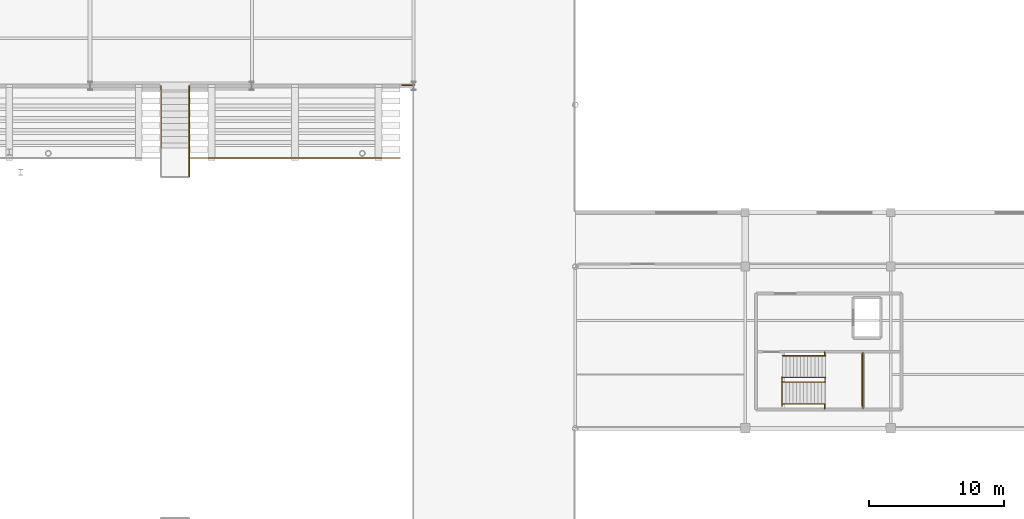
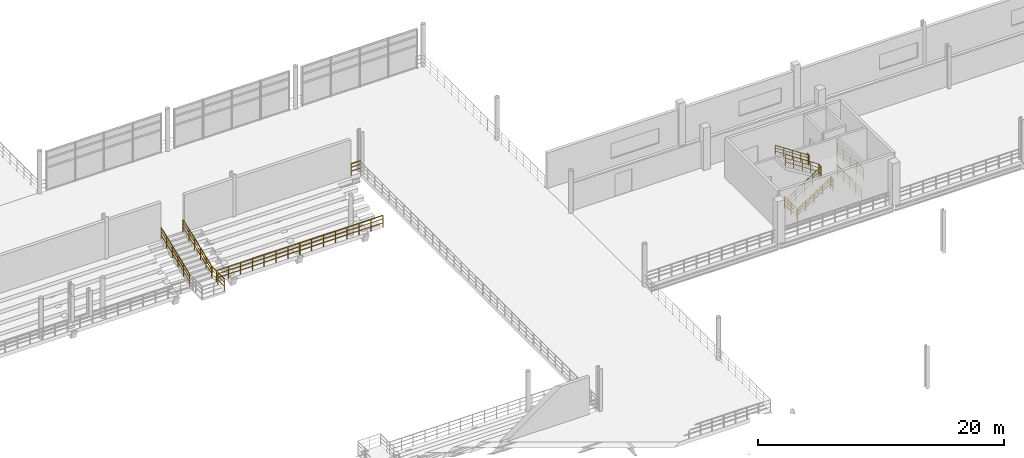
# One storey, part 79 of 89: 15 railings.
"""IFC4 building model written with IfcOpenShell, lengths in metres."""

import ifcopenshell
import ifcopenshell.guid

model = None  # the IFC model being written
_history = None  # IfcOwnerHistory: only IFC2X3 demands one
_inside = {}  # id of a spatial element -> (the spatial element, [elements in it])
_under = {}  # id of a project, library or spatial element -> (it, [spatial elements below it])
_declared = {}  # id of a project -> (the project, [libraries it declares])
_typed = {}  # id of a type object -> (the type object, [elements of that type])
_made_of = {}  # id of a material, layer set ... -> (it, [elements and type objects made of it])


def new_model(schema):
    """Start an empty IFC model of exactly this schema.

    Asked for "IFC4X3", IfcOpenShell would pick the latest addendum, in which some entities
    have other attributes; the version numbers below select the first issue.
    IFC2X3 requires an IfcOwnerHistory on every rooted entity: one is made here for all.
    """
    global model, _history
    if schema == "IFC4X3":
        model = ifcopenshell.file(schema_version=(4, 3, 0, 0))
    else:
        model = ifcopenshell.file(schema=schema)
    _inside.clear()
    _under.clear()
    _declared.clear()
    _typed.clear()
    _made_of.clear()
    _history = None
    if model.schema == "IFC2X3":
        org = make("IfcOrganization", Name="unknown")
        user = make(
            "IfcPersonAndOrganization",
            ThePerson=make("IfcPerson", FamilyName="unknown"),
            TheOrganization=org,
        )
        app = make(
            "IfcApplication",
            ApplicationDeveloper=org,
            Version="unknown",
            ApplicationFullName="unknown",
            ApplicationIdentifier="unknown",
        )
        _history = make(
            "IfcOwnerHistory",
            OwningUser=user,
            OwningApplication=app,
            ChangeAction="ADDED",
            CreationDate=0,
        )
    return model


def make(cls, **values):
    """One entity of the class cls with the attributes given. An attribute that is None is left unset."""
    return model.create_entity(
        cls, **{name: value for name, value in values.items() if value is not None}
    )


def rooted(cls, **values):
    """An entity with a GlobalId (a new one), such as an element, a storey or a relation."""
    return make(cls, GlobalId=ifcopenshell.guid.new(), OwnerHistory=_history, **values)


def si_unit(unit_type, name, prefix=None):
    """IfcSIUnit, for example si_unit("LENGTHUNIT", "METRE", prefix="MILLI")."""
    return make("IfcSIUnit", UnitType=unit_type, Prefix=prefix, Name=name)


def assignment(units):
    """IfcUnitAssignment: the units of a project."""
    return None if units is None else make("IfcUnitAssignment", Units=units)


def point(xyz):
    """IfcCartesianPoint."""
    return None if xyz is None else make("IfcCartesianPoint", Coordinates=xyz)


def direction(xyz):
    """IfcDirection."""
    return None if xyz is None else make("IfcDirection", DirectionRatios=xyz)


def frame(location, z_axis=None, x_axis=None):
    """IfcAxis2Placement3D, a coordinate frame: its origin and axes. An axis left out is left unset."""
    return make(
        "IfcAxis2Placement3D",
        Location=point(location),
        Axis=direction(z_axis),
        RefDirection=direction(x_axis),
    )


def frame_2d(location, x_axis=None):
    """IfcAxis2Placement2D, a coordinate frame in the plane: its origin and x axis."""
    return make(
        "IfcAxis2Placement2D", Location=point(location), RefDirection=direction(x_axis)
    )


def origin():
    """The frame at (0, 0, 0) with its axes left unset."""
    return frame((0.0, 0.0, 0.0))


def origin_2d():
    """The frame at (0, 0) in the plane with its x axis left unset."""
    return frame_2d((0.0, 0.0))


def place(relative_to, where):
    """IfcLocalPlacement: puts the frame where relative to a parent placement (None: the world)."""
    return make(
        "IfcLocalPlacement", PlacementRelTo=relative_to, RelativePlacement=where
    )


def context(
    kind, dimensions, precision=None, world=None, true_north=None, identifier=None
):
    """IfcGeometricRepresentationContext, for example the 3D "Model" context."""
    return make(
        "IfcGeometricRepresentationContext",
        ContextIdentifier=identifier,
        ContextType=kind,
        CoordinateSpaceDimension=dimensions,
        Precision=precision,
        WorldCoordinateSystem=world,
        TrueNorth=true_north,
    )


def subcontext(parent, identifier, kind, view, scale=None):
    """IfcGeometricRepresentationSubContext, for example "Body" below "Model"."""
    return make(
        "IfcGeometricRepresentationSubContext",
        ContextIdentifier=identifier,
        ContextType=kind,
        ParentContext=parent,
        TargetScale=scale,
        TargetView=view,
    )


def project(units=None, contexts=None):
    """IfcProject with its units and contexts."""
    return rooted(
        "IfcProject",
        Name="project",
        RepresentationContexts=contexts,
        UnitsInContext=assignment(units),
    )


def spatial(cls, under=None, at=None, **own):
    """A site, building, storey or space (cls), placed at a placement, below another one or the project."""
    s = rooted(cls, ObjectPlacement=at, **own)
    if under is not None:
        _under.setdefault(under.id(), (under, []))[1].append(s)
    return s


def profile(cls, at=None, kind="AREA", **sizes):
    """A parametric profile (cls). Its sizes go by their IFC names, for example OverallWidth=200.0."""
    return make(cls, ProfileType=kind, Position=at, **sizes)


def circle(**sizes):
    """IfcCircleProfileDef."""
    return profile("IfcCircleProfileDef", **sizes)


def extrude(swept, where, along, depth):
    """IfcExtrudedAreaSolid: the profile swept, set in the frame where, extruded along a direction by depth."""
    return make(
        "IfcExtrudedAreaSolid",
        SweptArea=swept,
        Position=where,
        ExtrudedDirection=direction(along),
        Depth=depth,
    )


def shape(context_of_items, identifier, shape_type, items):
    """IfcShapeRepresentation: the items that make up one representation, for example the "Body"."""
    return make(
        "IfcShapeRepresentation",
        ContextOfItems=context_of_items,
        RepresentationIdentifier=identifier,
        RepresentationType=shape_type,
        Items=items,
    )


def material(Name=None, Category=None):
    """IfcMaterial."""
    return make("IfcMaterial", Name=Name, Category=Category)


def layer(
    of_material, thickness, ventilated=None, Name=None, Category=None, Priority=None
):
    """IfcMaterialLayer: one layer of a wall or slab, of a material (None: an air gap)."""
    return make(
        "IfcMaterialLayer",
        Material=of_material,
        LayerThickness=thickness,
        IsVentilated=ventilated,
        Name=Name,
        Category=Category,
        Priority=Priority,
    )


def layer_set(layers, Name=None):
    """IfcMaterialLayerSet."""
    return make("IfcMaterialLayerSet", MaterialLayers=layers, LayerSetName=Name)


def made_of(thing, what):
    """Note that an element or type object is made of a material, layer set ...; save() writes the relation."""
    if what is not None:
        _made_of.setdefault(what.id(), (what, []))[1].append(thing)
    return thing


def type_object(cls, material=None, **own):
    """A type object (cls), such as IfcWallType, which elements share."""
    return made_of(rooted(cls, **own), material)


def element(
    cls,
    number,
    at=None,
    inside=None,
    cuts=None,
    type_object=None,
    material=None,
    context=None,
    identifier="Body",
    shape_type=None,
    held_by="IfcProductDefinitionShape",
    body=None,
    shapes=None,
    **own,
):
    """One element of the class cls, such as IfcWall. Its Tag is "e" and its number.

    at: its placement. inside: the storey or other place that contains it. cuts: it is an
    opening in that element (IfcRelVoidsElement). A single representation is given by context,
    identifier, shape_type and body (its items); several are given by shapes. held_by: the class
    of the entity that holds the representations. save() writes the other relations.
    """
    e = rooted(cls, Tag="e%d" % number, ObjectPlacement=at, **own)
    if body is not None:
        shapes = [shape(context, identifier, shape_type, body)]
    if shapes is not None:
        e.Representation = make(held_by, Representations=shapes)
    if inside is not None:
        _inside.setdefault(inside.id(), (inside, []))[1].append(e)
    if cuts is not None:
        rooted(
            "IfcRelVoidsElement", RelatingBuildingElement=cuts, RelatedOpeningElement=e
        )
    if type_object is not None:
        _typed.setdefault(type_object.id(), (type_object, []))[1].append(e)
    return made_of(e, material)


def aggregate(whole, parts):
    """IfcRelAggregates: a whole, such as a stair, and the parts it consists of."""
    return rooted("IfcRelAggregates", RelatingObject=whole, RelatedObjects=parts)


def save(model, path):
    """Write the relations noted so far, then the file.

    IfcRelAggregates (storeys below a building ...), IfcRelContainedInSpatialStructure (elements
    in a storey), IfcRelDefinesByType, IfcRelAssociatesMaterial and IfcRelDeclares: one each for
    every whole, place, type object, material and project.
    """
    for whole, parts in _under.values():
        aggregate(whole, parts)
    for where, things in _inside.values():
        rooted(
            "IfcRelContainedInSpatialStructure",
            RelatedElements=things,
            RelatingStructure=where,
        )
    for kind, things in _typed.values():
        rooted("IfcRelDefinesByType", RelatedObjects=things, RelatingType=kind)
    for what, things in _made_of.values():
        rooted("IfcRelAssociatesMaterial", RelatedObjects=things, RelatingMaterial=what)
    for by, libraries in _declared.values():
        rooted("IfcRelDeclares", RelatingContext=by, RelatedDefinitions=libraries)
    model.write(path)


model = new_model("IFC4")

# Units and contexts
model_context = context("Model", 3, precision=1e-05, world=origin(), true_north=direction((0.0, 1.0)))
body_context = subcontext(model_context, "Body", "Model", "MODEL_VIEW")
ifc_project = project(units=[si_unit("LENGTHUNIT", "METRE"), si_unit("AREAUNIT", "SQUARE_METRE"), si_unit("VOLUMEUNIT", "CUBIC_METRE"), si_unit("PLANEANGLEUNIT", "RADIAN"), si_unit("MASSUNIT", "GRAM", prefix="KILO"), si_unit("THERMODYNAMICTEMPERATUREUNIT", "KELVIN"), si_unit("POWERUNIT", "WATT")], contexts=[model_context])

# Site, building, storey
site_placement = place(None, origin())
site = spatial("IfcSite", under=ifc_project, at=site_placement, CompositionType="ELEMENT")
building_placement = place(site_placement, origin())
building = spatial("IfcBuilding", under=site, at=building_placement, Name="Solmara Park Aquatics Centre", CompositionType="ELEMENT")
storey_placement = place(building_placement, frame((0.0, 0.0, 5.39990234375)))
storey = spatial("IfcBuildingStorey", under=building, at=storey_placement, Name="L01", CompositionType="ELEMENT", Elevation=5.39990234375)

# Railings
ifc_material_1 = material(Name="Brushed Marine-Grade Stainless Steel 316L Handrail", Category="steel")
ifc_layer_1 = layer(ifc_material_1, 0.044921875, Name="Brushed Marine-Grade Stainless Steel 316L Handrail")
ifc_layer_set_1 = layer_set([ifc_layer_1], Name="Brushed Marine-Grade Stainless Steel 316L Handrail")
railing_type_1 = type_object("IfcRailingType", Name="ARC-RL-HND090", PredefinedType="HANDRAIL", material=ifc_layer_set_1)
railing_1_placement = place(storey_placement, frame((111.949951171875, 38.409912109375, 0.16162109375)))
element("IfcRailing", 1, at=railing_1_placement, inside=storey, type_object=railing_type_1, Name="ST-03 Protected Exit Stair (L01 to L02) Flight 1 Outer Handrail", PredefinedType="HANDRAIL", context=body_context, shape_type="SweptSolid", body=[
    extrude(circle(Radius=0.02392578125, at=origin_2d()), frame((0.0, 0.0, 0.89599609375), z_axis=(0.834447378162, 0.0, 0.551087627405), x_axis=(0.0, 1.0, 0.0)), (0.0, 0.0, 1.0), 3.810791015625),
    extrude(circle(Radius=0.01416015625, at=origin_2d()), frame((0.0, 0.0, 0.322021484375), z_axis=(0.834447378162, 0.0, 0.551087627405), x_axis=(0.0, 1.0, 0.0)), (0.0, 0.0, 1.0), 3.810791015625),
    extrude(circle(Radius=0.01416015625, at=origin_2d()), frame((0.0, 0.0, 0.62548828125), z_axis=(0.834447378162, 0.0, 0.551087627405), x_axis=(0.0, 1.0, 0.0)), (0.0, 0.0, 1.0), 3.810791015625),
    extrude(circle(Radius=0.02099609375, at=origin_2d()), origin(), (0.0, 0.0, 1.0), 0.871826171875),
    extrude(circle(Radius=0.02099609375, at=origin_2d()), frame((0.794921875, 0.0, 0.52490234375)), (0.0, 0.0, 1.0), 0.871826171875),
    extrude(circle(Radius=0.02099609375, at=origin_2d()), frame((1.58984375, 0.0, 1.050048828125)), (0.0, 0.0, 1.0), 0.871826171875),
    extrude(circle(Radius=0.02099609375, at=origin_2d()), frame((2.385009765625, 0.0, 1.5751953125)), (0.0, 0.0, 1.0), 0.871826171875),
    extrude(circle(Radius=0.02099609375, at=origin_2d()), frame((3.179931640625, 0.0, 2.10009765625)), (0.0, 0.0, 1.0), 0.871826171875),
])
railing_2_placement = place(storey_placement, frame((115.159912109375, 41.989990234375, 2.26171875)))
element("IfcRailing", 2, at=railing_2_placement, inside=storey, type_object=railing_type_1, Name="ST-03 Protected Exit Stair (L01 to L02) Flight 2 Outer Handrail", PredefinedType="HANDRAIL", context=body_context, shape_type="SweptSolid", body=[
    extrude(circle(Radius=0.02392578125, at=origin_2d()), frame((0.0, 0.0, 0.89599609375), z_axis=(-0.834476838559, 0.0, 0.551043016387), x_axis=(0.0, -1.0, 0.0)), (0.0, 0.0, 1.0), 3.810791015625),
    extrude(circle(Radius=0.01416015625, at=origin_2d()), frame((0.0, 0.0, 0.322021484375), z_axis=(-0.834476838559, 0.0, 0.551043016387), x_axis=(0.0, -1.0, 0.0)), (0.0, 0.0, 1.0), 3.810791015625),
    extrude(circle(Radius=0.01416015625, at=origin_2d()), frame((0.0, 0.0, 0.62548828125), z_axis=(-0.834476838559, 0.0, 0.551043016387), x_axis=(0.0, -1.0, 0.0)), (0.0, 0.0, 1.0), 3.810791015625),
    extrude(circle(Radius=0.02099609375, at=origin_2d()), origin(), (0.0, 0.0, 1.0), 0.871826171875),
    extrude(circle(Radius=0.02099609375, at=origin_2d()), frame((-0.794921875, 0.0, 0.52490234375)), (0.0, 0.0, 1.0), 0.871826171875),
    extrude(circle(Radius=0.02099609375, at=origin_2d()), frame((-1.58984375, 0.0, 1.0498046875)), (0.0, 0.0, 1.0), 0.871826171875),
    extrude(circle(Radius=0.02099609375, at=origin_2d()), frame((-2.385009765625, 0.0, 1.574951171875)), (0.0, 0.0, 1.0), 0.871826171875),
    extrude(circle(Radius=0.02099609375, at=origin_2d()), frame((-3.179931640625, 0.0, 2.099853515625)), (0.0, 0.0, 1.0), 0.871826171875),
])
ifc_material_2 = material(Name="Toughened Glass and Stainless Steel Stand Guardrail", Category="steel")
ifc_layer_2 = layer(ifc_material_2, 0.06005859375, Name="Toughened Glass and Stainless Steel Stand Guardrail")
ifc_layer_set_2 = layer_set([ifc_layer_2], Name="Toughened Glass and Stainless Steel Stand Guardrail")
railing_type_2 = type_object("IfcRailingType", Name="ARC-RL-STD110", PredefinedType="GUARDRAIL", material=ifc_layer_set_2)
railing_3_placement = place(storey_placement, frame((68.0, 56.64990234375, -1.7998046875)))
element("IfcRailing", 3, at=railing_3_placement, inside=storey, type_object=railing_type_2, Name="Lower North Stand Front Guardrail 5", PredefinedType="GUARDRAIL", context=body_context, shape_type="SweptSolid", body=[
    extrude(circle(Radius=0.02392578125, at=origin_2d()), frame((0.0, 0.0, 1.15576171875), z_axis=(1.0, 0.0, 0.0), x_axis=(0.0, 1.0, 0.0)), (0.0, 0.0, 1.0), 15.60009765625),
    extrude(circle(Radius=0.01416015625, at=origin_2d()), frame((0.0, 0.0, 0.4130859375), z_axis=(1.0, 0.0, 0.0), x_axis=(0.0, 1.0, 0.0)), (0.0, 0.0, 1.0), 15.60009765625),
    extrude(circle(Radius=0.01416015625, at=origin_2d()), frame((0.0, 0.0, 0.80224609375), z_axis=(1.0, 0.0, 0.0), x_axis=(0.0, 1.0, 0.0)), (0.0, 0.0, 1.0), 15.60009765625),
    extrude(circle(Radius=0.02099609375, at=origin_2d()), origin(), (0.0, 0.0, 1.0), 1.1318359375),
    extrude(circle(Radius=0.02099609375, at=origin_2d()), frame((1.1142578125, 0.0, 0.0)), (0.0, 0.0, 1.0), 1.1318359375),
    extrude(circle(Radius=0.02099609375, at=origin_2d()), frame((2.228515625, 0.0, 0.0)), (0.0, 0.0, 1.0), 1.1318359375),
    extrude(circle(Radius=0.02099609375, at=origin_2d()), frame((3.3427734375, 0.0, 0.0)), (0.0, 0.0, 1.0), 1.1318359375),
    extrude(circle(Radius=0.02099609375, at=origin_2d()), frame((4.457275390625, 0.0, 0.0)), (0.0, 0.0, 1.0), 1.1318359375),
    extrude(circle(Radius=0.02099609375, at=origin_2d()), frame((5.571533203125, 0.0, 0.0)), (0.0, 0.0, 1.0), 1.1318359375),
    extrude(circle(Radius=0.02099609375, at=origin_2d()), frame((6.685791015625, 0.0, 0.0)), (0.0, 0.0, 1.0), 1.1318359375),
    extrude(circle(Radius=0.02099609375, at=origin_2d()), frame((7.800048828125, 0.0, 0.0)), (0.0, 0.0, 1.0), 1.1318359375),
    extrude(circle(Radius=0.02099609375, at=origin_2d()), frame((8.914306640625, 0.0, 0.0)), (0.0, 0.0, 1.0), 1.1318359375),
    extrude(circle(Radius=0.02099609375, at=origin_2d()), frame((10.028564453125, 0.0, 0.0)), (0.0, 0.0, 1.0), 1.1318359375),
    extrude(circle(Radius=0.02099609375, at=origin_2d()), frame((11.142822265625, 0.0, 0.0)), (0.0, 0.0, 1.0), 1.1318359375),
    extrude(circle(Radius=0.02099609375, at=origin_2d()), frame((12.25732421875, 0.0, 0.0)), (0.0, 0.0, 1.0), 1.1318359375),
    extrude(circle(Radius=0.02099609375, at=origin_2d()), frame((13.37158203125, 0.0, 0.0)), (0.0, 0.0, 1.0), 1.1318359375),
    extrude(circle(Radius=0.02099609375, at=origin_2d()), frame((14.48583984375, 0.0, 0.0)), (0.0, 0.0, 1.0), 1.1318359375),
    extrude(circle(Radius=0.02099609375, at=origin_2d()), frame((15.60009765625, 0.0, 0.0)), (0.0, 0.0, 1.0), 1.1318359375),
])
railing_4_placement = place(storey_placement, frame((84.659912109375, 62.06005859375, 0.0)))
element("IfcRailing", 4, at=railing_4_placement, inside=storey, type_object=railing_type_2, Name="L01 Slab Edge Guardrail 045", PredefinedType="GUARDRAIL", context=body_context, shape_type="SweptSolid", body=[
    extrude(circle(Radius=0.02392578125, at=origin_2d()), frame((0.0, 0.0, 1.15576171875), z_axis=(-1.0, 0.0, 0.0), x_axis=(0.0, -1.0, 0.0)), (0.0, 0.0, 1.0), 0.93359375),
    extrude(circle(Radius=0.01416015625, at=origin_2d()), frame((0.0, 0.0, 0.4130859375), z_axis=(-1.0, 0.0, 0.0), x_axis=(0.0, -1.0, 0.0)), (0.0, 0.0, 1.0), 0.93359375),
    extrude(circle(Radius=0.01416015625, at=origin_2d()), frame((0.0, 0.0, 0.80224609375), z_axis=(-1.0, 0.0, 0.0), x_axis=(0.0, -1.0, 0.0)), (0.0, 0.0, 1.0), 0.93359375),
    extrude(circle(Radius=0.02099609375, at=origin_2d()), origin(), (0.0, 0.0, 1.0), 1.1318359375),
    extrude(circle(Radius=0.02099609375, at=origin_2d()), frame((-0.93359375, 0.0, 0.0)), (0.0, 0.0, 1.0), 1.1318359375),
])
ifc_material_3 = material(Name="Brushed Stainless Steel Guardrail", Category="steel")
ifc_layer_3 = layer(ifc_material_3, 0.050048828125, Name="Brushed Stainless Steel Guardrail")
ifc_layer_set_3 = layer_set([ifc_layer_3], Name="Brushed Stainless Steel Guardrail")
railing_type_3 = type_object("IfcRailingType", Name="ARC-RL-STR110", PredefinedType="GUARDRAIL", material=ifc_layer_set_3)
railing_5_placement = place(storey_placement, frame((111.929931640625, 38.27001953125, 0.0)))
element("IfcRailing", 5, at=railing_5_placement, inside=storey, type_object=railing_type_3, Name="ST-03 Protected Exit Stair (L00 to L01) Arrival Well Guardrail", PredefinedType="GUARDRAIL", context=body_context, shape_type="SweptSolid", body=[
    extrude(circle(Radius=0.02392578125, at=origin_2d()), frame((0.0, 0.0, 1.15576171875), z_axis=(0.0, 1.0, 0.0), x_axis=(-1.0, 0.0, 0.0)), (0.0, 0.0, 1.0), 2.119873046875),
    extrude(circle(Radius=0.01416015625, at=origin_2d()), frame((0.0, 0.0, 0.4130859375), z_axis=(0.0, 1.0, 0.0), x_axis=(-1.0, 0.0, 0.0)), (0.0, 0.0, 1.0), 2.119873046875),
    extrude(circle(Radius=0.01416015625, at=origin_2d()), frame((0.0, 0.0, 0.80224609375), z_axis=(0.0, 1.0, 0.0), x_axis=(-1.0, 0.0, 0.0)), (0.0, 0.0, 1.0), 2.119873046875),
    extrude(circle(Radius=0.02099609375, at=origin_2d()), origin(), (0.0, 0.0, 1.0), 1.1318359375),
    extrude(circle(Radius=0.02099609375, at=origin_2d()), frame((0.0, 1.06005859375, 0.0)), (0.0, 0.0, 1.0), 1.1318359375),
    extrude(circle(Radius=0.02099609375, at=origin_2d()), frame((0.0, 2.119873046875, 0.0)), (0.0, 0.0, 1.0), 1.1318359375),
])
railing_6_placement = place(storey_placement, frame((117.8798828125, 38.27001953125, 0.0)))
element("IfcRailing", 6, at=railing_6_placement, inside=storey, type_object=railing_type_3, Name="ST-03 Protected Exit Stair (L00 to L01) Far Well Edge Guardrail", PredefinedType="GUARDRAIL", context=body_context, shape_type="SweptSolid", body=[
    extrude(circle(Radius=0.02392578125, at=origin_2d()), frame((0.0, 0.0, 1.15576171875), z_axis=(0.0, 1.0, 0.0), x_axis=(-1.0, 0.0, 0.0)), (0.0, 0.0, 1.0), 3.85986328125),
    extrude(circle(Radius=0.01416015625, at=origin_2d()), frame((0.0, 0.0, 0.4130859375), z_axis=(0.0, 1.0, 0.0), x_axis=(-1.0, 0.0, 0.0)), (0.0, 0.0, 1.0), 3.85986328125),
    extrude(circle(Radius=0.01416015625, at=origin_2d()), frame((0.0, 0.0, 0.80224609375), z_axis=(0.0, 1.0, 0.0), x_axis=(-1.0, 0.0, 0.0)), (0.0, 0.0, 1.0), 3.85986328125),
    extrude(circle(Radius=0.02099609375, at=origin_2d()), origin(), (0.0, 0.0, 1.0), 1.1318359375),
    extrude(circle(Radius=0.02099609375, at=origin_2d()), frame((0.0, 0.96484375, 0.0)), (0.0, 0.0, 1.0), 1.1318359375),
    extrude(circle(Radius=0.02099609375, at=origin_2d()), frame((0.0, 1.929931640625, 0.0)), (0.0, 0.0, 1.0), 1.1318359375),
    extrude(circle(Radius=0.02099609375, at=origin_2d()), frame((0.0, 2.89501953125, 0.0)), (0.0, 0.0, 1.0), 1.1318359375),
    extrude(circle(Radius=0.02099609375, at=origin_2d()), frame((0.0, 3.85986328125, 0.0)), (0.0, 0.0, 1.0), 1.1318359375),
])
railing_7_placement = place(storey_placement, frame((111.949951171875, 40.030029296875, 0.0)))
element("IfcRailing", 7, at=railing_7_placement, inside=storey, type_object=railing_type_3, Name="ST-03 Protected Exit Stair (L01 to L02) Flight 1 Inner Guardrail", PredefinedType="GUARDRAIL", context=body_context, shape_type="SweptSolid", body=[
    extrude(circle(Radius=0.02392578125, at=origin_2d()), frame((0.0, 0.0, 1.15576171875), z_axis=(0.834447378162, 0.0, 0.551087627405), x_axis=(0.0, 1.0, 0.0)), (0.0, 0.0, 1.0), 3.810791015625),
    extrude(circle(Radius=0.01416015625, at=origin_2d()), frame((0.0, 0.0, 0.4130859375), z_axis=(0.834447378162, 0.0, 0.551087627405), x_axis=(0.0, 1.0, 0.0)), (0.0, 0.0, 1.0), 3.810791015625),
    extrude(circle(Radius=0.01416015625, at=origin_2d()), frame((0.0, 0.0, 0.80224609375), z_axis=(0.834447378162, 0.0, 0.551087627405), x_axis=(0.0, 1.0, 0.0)), (0.0, 0.0, 1.0), 3.810791015625),
    extrude(circle(Radius=0.02099609375, at=origin_2d()), origin(), (0.0, 0.0, 1.0), 1.1318359375),
    extrude(circle(Radius=0.02099609375, at=origin_2d()), frame((0.794921875, 0.0, 0.52490234375)), (0.0, 0.0, 1.0), 1.1318359375),
    extrude(circle(Radius=0.02099609375, at=origin_2d()), frame((1.58984375, 0.0, 1.050048828125)), (0.0, 0.0, 1.0), 1.1318359375),
    extrude(circle(Radius=0.02099609375, at=origin_2d()), frame((2.385009765625, 0.0, 1.5751953125)), (0.0, 0.0, 1.0), 1.1318359375),
    extrude(circle(Radius=0.02099609375, at=origin_2d()), frame((3.179931640625, 0.0, 2.10009765625)), (0.0, 0.0, 1.0), 1.1318359375),
])
railing_8_placement = place(storey_placement, frame((115.159912109375, 40.3701171875, 2.10009765625)))
element("IfcRailing", 8, at=railing_8_placement, inside=storey, type_object=railing_type_3, Name="ST-03 Protected Exit Stair (L01 to L02) Flight 2 Inner Guardrail", PredefinedType="GUARDRAIL", context=body_context, shape_type="SweptSolid", body=[
    extrude(circle(Radius=0.02392578125, at=origin_2d()), frame((0.0, 0.0, 1.15576171875), z_axis=(-0.834447378162, 0.0, 0.551087627405), x_axis=(0.0, -1.0, 0.0)), (0.0, 0.0, 1.0), 3.810791015625),
    extrude(circle(Radius=0.01416015625, at=origin_2d()), frame((0.0, 0.0, 0.4130859375), z_axis=(-0.834447378162, 0.0, 0.551087627405), x_axis=(0.0, -1.0, 0.0)), (0.0, 0.0, 1.0), 3.810791015625),
    extrude(circle(Radius=0.01416015625, at=origin_2d()), frame((0.0, 0.0, 0.80224609375), z_axis=(-0.834447378162, 0.0, 0.551087627405), x_axis=(0.0, -1.0, 0.0)), (0.0, 0.0, 1.0), 3.810791015625),
    extrude(circle(Radius=0.02099609375, at=origin_2d()), origin(), (0.0, 0.0, 1.0), 1.1318359375),
    extrude(circle(Radius=0.02099609375, at=origin_2d()), frame((-0.794921875, 0.0, 0.52490234375)), (0.0, 0.0, 1.0), 1.1318359375),
    extrude(circle(Radius=0.02099609375, at=origin_2d()), frame((-1.58984375, 0.0, 1.050048828125)), (0.0, 0.0, 1.0), 1.1318359375),
    extrude(circle(Radius=0.02099609375, at=origin_2d()), frame((-2.385009765625, 0.0, 1.5751953125)), (0.0, 0.0, 1.0), 1.1318359375),
    extrude(circle(Radius=0.02099609375, at=origin_2d()), frame((-3.179931640625, 0.0, 2.10009765625)), (0.0, 0.0, 1.0), 1.1318359375),
])
railing_9_placement = place(storey_placement, frame((115.1298828125, 40.010009765625, 2.10009765625)))
element("IfcRailing", 9, at=railing_9_placement, inside=storey, type_object=railing_type_3, Name="ST-03 Protected Exit Stair (L01 to L02) Half-Landing Well Guardrail", PredefinedType="GUARDRAIL", context=body_context, shape_type="SweptSolid", body=[
    extrude(circle(Radius=0.02392578125, at=origin_2d()), frame((0.0, 0.0, 1.15576171875), z_axis=(0.0, 1.0, 0.0), x_axis=(-1.0, 0.0, 0.0)), (0.0, 0.0, 1.0), 0.3798828125),
    extrude(circle(Radius=0.01416015625, at=origin_2d()), frame((0.0, 0.0, 0.4130859375), z_axis=(0.0, 1.0, 0.0), x_axis=(-1.0, 0.0, 0.0)), (0.0, 0.0, 1.0), 0.3798828125),
    extrude(circle(Radius=0.01416015625, at=origin_2d()), frame((0.0, 0.0, 0.80224609375), z_axis=(0.0, 1.0, 0.0), x_axis=(-1.0, 0.0, 0.0)), (0.0, 0.0, 1.0), 0.3798828125),
    extrude(circle(Radius=0.02099609375, at=origin_2d()), origin(), (0.0, 0.0, 1.0), 1.1318359375),
    extrude(circle(Radius=0.02099609375, at=origin_2d()), frame((0.0, 0.3798828125, 0.0)), (0.0, 0.0, 1.0), 1.1318359375),
])
railing_10_placement = place(storey_placement, frame((115.10009765625, 38.0400390625, 2.10009765625)))
element("IfcRailing", 10, at=railing_10_placement, inside=storey, type_object=railing_type_3, Name="ST-03 Protected Exit Stair (L01 to L02) Half-Landing South Slot Guardrail", PredefinedType="GUARDRAIL", context=body_context, shape_type="SweptSolid", body=[
    extrude(circle(Radius=0.02392578125, at=origin_2d()), frame((0.0, 0.0, 1.15576171875), z_axis=(0.0, 1.0, 0.0), x_axis=(-1.0, 0.0, 0.0)), (0.0, 0.0, 1.0), 0.35986328125),
    extrude(circle(Radius=0.01416015625, at=origin_2d()), frame((0.0, 0.0, 0.4130859375), z_axis=(0.0, 1.0, 0.0), x_axis=(-1.0, 0.0, 0.0)), (0.0, 0.0, 1.0), 0.35986328125),
    extrude(circle(Radius=0.01416015625, at=origin_2d()), frame((0.0, 0.0, 0.80224609375), z_axis=(0.0, 1.0, 0.0), x_axis=(-1.0, 0.0, 0.0)), (0.0, 0.0, 1.0), 0.35986328125),
    extrude(circle(Radius=0.02099609375, at=origin_2d()), origin(), (0.0, 0.0, 1.0), 1.1318359375),
    extrude(circle(Radius=0.02099609375, at=origin_2d()), frame((0.0, 0.35986328125, 0.0)), (0.0, 0.0, 1.0), 1.1318359375),
])
railing_11_placement = place(storey_placement, frame((115.10009765625, 42.0, 2.10009765625)))
element("IfcRailing", 11, at=railing_11_placement, inside=storey, type_object=railing_type_3, Name="ST-03 Protected Exit Stair (L01 to L02) Half-Landing North Slot Guardrail", PredefinedType="GUARDRAIL", context=body_context, shape_type="SweptSolid", body=[
    extrude(circle(Radius=0.02392578125, at=origin_2d()), frame((0.0, 0.0, 1.15576171875), z_axis=(0.0, 1.0, 0.0), x_axis=(-1.0, 0.0, 0.0)), (0.0, 0.0, 1.0), 0.260009765625),
    extrude(circle(Radius=0.01416015625, at=origin_2d()), frame((0.0, 0.0, 0.4130859375), z_axis=(0.0, 1.0, 0.0), x_axis=(-1.0, 0.0, 0.0)), (0.0, 0.0, 1.0), 0.260009765625),
    extrude(circle(Radius=0.01416015625, at=origin_2d()), frame((0.0, 0.0, 0.80224609375), z_axis=(0.0, 1.0, 0.0), x_axis=(-1.0, 0.0, 0.0)), (0.0, 0.0, 1.0), 0.260009765625),
    extrude(circle(Radius=0.02099609375, at=origin_2d()), origin(), (0.0, 0.0, 1.0), 1.1318359375),
    extrude(circle(Radius=0.02099609375, at=origin_2d()), frame((0.0, 0.260009765625, 0.0)), (0.0, 0.0, 1.0), 1.1318359375),
])
railing_12_placement = place(storey_placement, frame((117.949951171875, 38.06005859375, 2.10009765625)))
element("IfcRailing", 12, at=railing_12_placement, inside=storey, type_object=railing_type_3, Name="ST-03 Protected Exit Stair (L01 to L02) Half-Landing Outer Guardrail", PredefinedType="GUARDRAIL", context=body_context, shape_type="SweptSolid", body=[
    extrude(circle(Radius=0.02392578125, at=origin_2d()), frame((0.0, 0.0, 1.15576171875), z_axis=(0.0, 1.0, 0.0), x_axis=(-1.0, 0.0, 0.0)), (0.0, 0.0, 1.0), 4.179931640625),
    extrude(circle(Radius=0.01416015625, at=origin_2d()), frame((0.0, 0.0, 0.4130859375), z_axis=(0.0, 1.0, 0.0), x_axis=(-1.0, 0.0, 0.0)), (0.0, 0.0, 1.0), 4.179931640625),
    extrude(circle(Radius=0.01416015625, at=origin_2d()), frame((0.0, 0.0, 0.80224609375), z_axis=(0.0, 1.0, 0.0), x_axis=(-1.0, 0.0, 0.0)), (0.0, 0.0, 1.0), 4.179931640625),
    extrude(circle(Radius=0.02099609375, at=origin_2d()), origin(), (0.0, 0.0, 1.0), 1.1318359375),
    extrude(circle(Radius=0.02099609375, at=origin_2d()), frame((0.0, 1.044921875, 0.0)), (0.0, 0.0, 1.0), 1.1318359375),
    extrude(circle(Radius=0.02099609375, at=origin_2d()), frame((0.0, 2.08984375, 0.0)), (0.0, 0.0, 1.0), 1.1318359375),
    extrude(circle(Radius=0.02099609375, at=origin_2d()), frame((0.0, 3.135009765625, 0.0)), (0.0, 0.0, 1.0), 1.1318359375),
    extrude(circle(Radius=0.02099609375, at=origin_2d()), frame((0.0, 4.179931640625, 0.0)), (0.0, 0.0, 1.0), 1.1318359375),
])
for number, where, name in (
    (13, (65.85009765625, 57.35009765625, -1.7998046875), "Vomitory Stair VS-02 Flight Guardrail 1"),
    (14, (67.949951171875, 57.35009765625, -1.7998046875), "Vomitory Stair VS-02 Flight Guardrail 2"),
):
    element("IfcRailing", number, at=place(storey_placement, frame(where)), inside=storey, type_object=railing_type_3, Name=name, PredefinedType="GUARDRAIL", context=body_context, shape_type="SweptSolid", body=[
        extrude(circle(Radius=0.02392578125, at=origin_2d()), frame((0.0, 0.0, 1.15576171875), z_axis=(0.0, 0.932578732703, 0.360966629081), x_axis=(-1.0, 0.0, 0.0)), (0.0, 0.0, 1.0), 4.986083984375),
        extrude(circle(Radius=0.01416015625, at=origin_2d()), frame((0.0, 0.0, 0.4130859375), z_axis=(0.0, 0.932578732703, 0.360966629081), x_axis=(-1.0, 0.0, 0.0)), (0.0, 0.0, 1.0), 4.986083984375),
        extrude(circle(Radius=0.01416015625, at=origin_2d()), frame((0.0, 0.0, 0.80224609375), z_axis=(0.0, 0.932578732703, 0.360966629081), x_axis=(-1.0, 0.0, 0.0)), (0.0, 0.0, 1.0), 4.986083984375),
        extrude(circle(Radius=0.02099609375, at=origin_2d()), origin(), (0.0, 0.0, 1.0), 1.1318359375),
        extrude(circle(Radius=0.02099609375, at=origin_2d()), frame((0.0, 0.929931640625, 0.35986328125)), (0.0, 0.0, 1.0), 1.1318359375),
        extrude(circle(Radius=0.02099609375, at=origin_2d()), frame((0.0, 1.85986328125, 0.719970703125)), (0.0, 0.0, 1.0), 1.1318359375),
        extrude(circle(Radius=0.02099609375, at=origin_2d()), frame((0.0, 2.7900390625, 1.079833984375)), (0.0, 0.0, 1.0), 1.1318359375),
        extrude(circle(Radius=0.02099609375, at=origin_2d()), frame((0.0, 3.719970703125, 1.43994140625)), (0.0, 0.0, 1.0), 1.1318359375),
        extrude(circle(Radius=0.02099609375, at=origin_2d()), frame((0.0, 4.64990234375, 1.7998046875)), (0.0, 0.0, 1.0), 1.1318359375),
    ])
railing_13_placement = place(storey_placement, frame((67.949951171875, 55.27001953125, -1.7998046875)))
element("IfcRailing", 15, at=railing_13_placement, inside=storey, type_object=railing_type_3, Name="Vomitory Stair VS-02 Landing Side Guardrail 2", PredefinedType="GUARDRAIL", context=body_context, shape_type="SweptSolid", body=[
    extrude(circle(Radius=0.02392578125, at=origin_2d()), frame((0.0, 0.0, 1.15576171875), z_axis=(0.0, 1.0, 0.0), x_axis=(-1.0, 0.0, 0.0)), (0.0, 0.0, 1.0), 2.10009765625),
    extrude(circle(Radius=0.01416015625, at=origin_2d()), frame((0.0, 0.0, 0.4130859375), z_axis=(0.0, 1.0, 0.0), x_axis=(-1.0, 0.0, 0.0)), (0.0, 0.0, 1.0), 2.10009765625),
    extrude(circle(Radius=0.01416015625, at=origin_2d()), frame((0.0, 0.0, 0.80224609375), z_axis=(0.0, 1.0, 0.0), x_axis=(-1.0, 0.0, 0.0)), (0.0, 0.0, 1.0), 2.10009765625),
    extrude(circle(Radius=0.02099609375, at=origin_2d()), origin(), (0.0, 0.0, 1.0), 1.1318359375),
    extrude(circle(Radius=0.02099609375, at=origin_2d()), frame((0.0, 1.050048828125, 0.0)), (0.0, 0.0, 1.0), 1.1318359375),
    extrude(circle(Radius=0.02099609375, at=origin_2d()), frame((0.0, 2.10009765625, 0.0)), (0.0, 0.0, 1.0), 1.1318359375),
])

save(model, "model.ifc")
